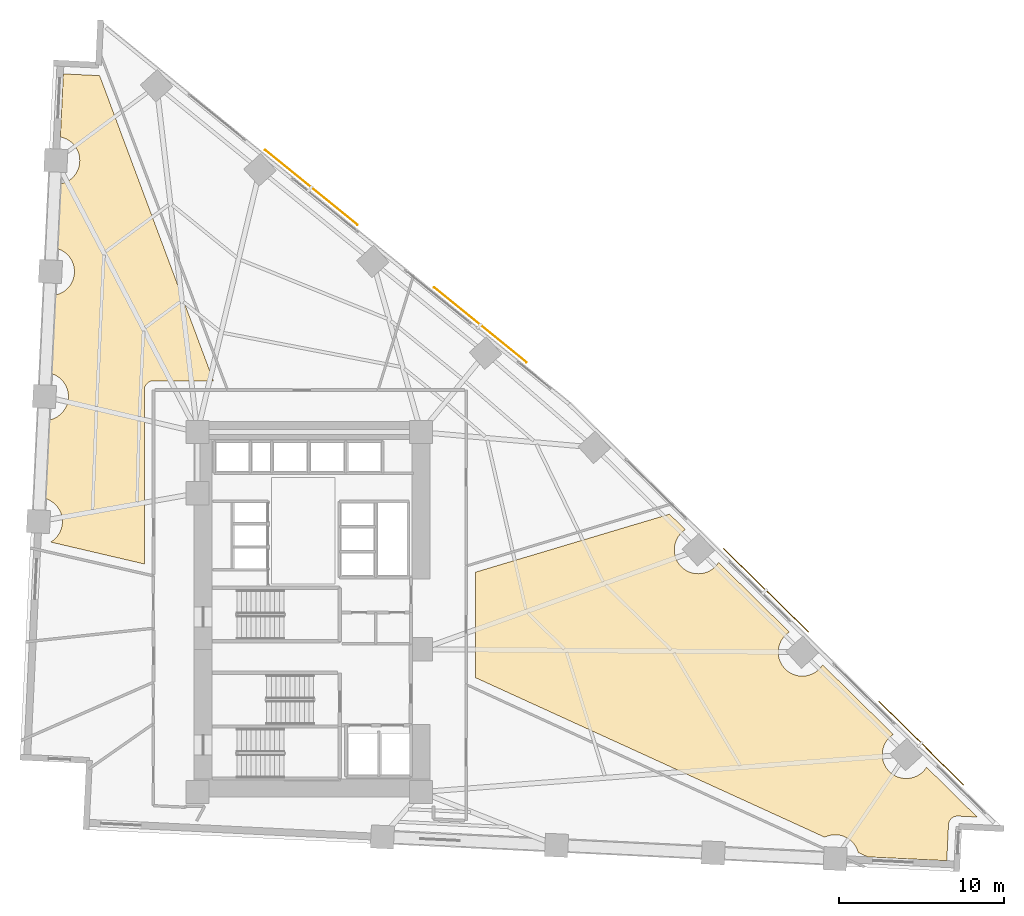
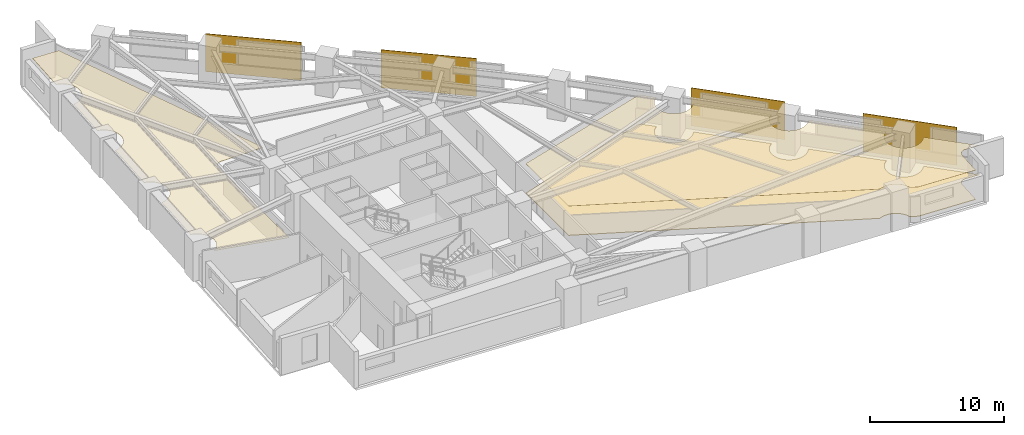
# One storey, part 18 of 18: 4 shading devices, 3 coverings.
"""IFC4 building model written with IfcOpenShell, lengths in metres."""

from ifc_helpers import new_model, si_unit, direction, frame, origin, origin_2d, place, context, subcontext, project, spatial, polyline, rectangle, outline, extrude, material, layer, layer_set, type_object, element, save


model = new_model("IFC4")

# Units and contexts
model_context = context("Model", 3, precision=1e-05, world=origin(), true_north=direction((0.0, 1.0)))
body_context = subcontext(model_context, "Body", "Model", "MODEL_VIEW")
ifc_project = project(units=[si_unit("LENGTHUNIT", "METRE"), si_unit("AREAUNIT", "SQUARE_METRE"), si_unit("VOLUMEUNIT", "CUBIC_METRE"), si_unit("PLANEANGLEUNIT", "RADIAN"), si_unit("MASSUNIT", "GRAM", prefix="KILO")], contexts=[model_context])

# Site, building, storey
site_placement = place(None, origin())
site = spatial("IfcSite", under=ifc_project, at=site_placement, CompositionType="ELEMENT")
building_placement = place(site_placement, origin())
building = spatial("IfcBuilding", under=site, at=building_placement, Name="Narakoshi Arena Tower", CompositionType="ELEMENT")
storey_placement = place(building_placement, frame((0.0, 0.0, 44.699951171875)))
storey = spatial("IfcBuildingStorey", under=building, at=storey_placement, Name="L11", CompositionType="ELEMENT", Elevation=44.699951171875)

# Coverings
ifc_material_1 = material(Name="Acoustic mineral-fibre ceiling tile")
ifc_layer_1 = layer(ifc_material_1, 0.02001953125)
ifc_layer_set_1 = layer_set([ifc_layer_1], Name="Acoustic mineral-fibre ceiling tile")
covering_type_1 = type_object("IfcCoveringType", Name="COV-CLG-AC20", PredefinedType="CEILING", material=ifc_layer_set_1)
covering_1_placement = place(storey_placement, frame((0.0, 0.0, 2.670166015625)))
element("IfcCovering", 1, at=covering_1_placement, inside=storey, type_object=covering_type_1, Name="L11 Suspended Acoustic Ceiling 1", PredefinedType="CEILING", context=body_context, shape_type="SweptSolid", body=[
    extrude(outline(polyline([(118.080810546875, 33.24267578125), (118.02685546875, 33.24267578125), (117.97314453125, 33.2373046875), (117.920166015625, 33.226806640625), (117.868408203125, 33.2109375), (117.818603515625, 33.190185546875), (117.77099609375, 33.164794921875), (117.726318359375, 33.134765625), (117.6845703125, 33.100341796875), (117.646484375, 33.062255859375), (117.6123046875, 33.0205078125), (117.582275390625, 32.9755859375), (117.556884765625, 32.927978515625), (117.536376953125, 32.8779296875), (117.520751953125, 32.826416015625), (117.51025390625, 32.7734375), (117.5048828125, 32.7197265625), (117.400390625, 30.542236328125), (112.614501953125, 30.772216796875), (112.03564453125, 31.03662109375), (112.02392578125, 31.082763671875), (111.97607421875, 31.216796875), (111.915283203125, 31.345458984375), (111.842041015625, 31.467529296875), (111.75732421875, 31.581787109375), (111.66162109375, 31.687255859375), (111.556396484375, 31.78271484375), (111.44189453125, 31.867431640625), (111.31982421875, 31.940673828125), (111.19140625, 32.00146484375), (111.057373046875, 32.049560546875), (110.919189453125, 32.083984375), (110.778564453125, 32.10498046875), (110.636474609375, 32.11181640625), (110.494384765625, 32.10498046875), (110.353515625, 32.083984375), (110.215576171875, 32.049560546875), (110.08154296875, 32.00146484375), (110.003662109375, 31.964599609375), (88.83740234375, 41.6328125), (88.83740234375, 48.01513671875), (100.606689453125, 51.534912109375), (101.56298828125, 50.59326171875), (101.539794921875, 50.579345703125), (101.425537109375, 50.49462890625), (101.320068359375, 50.399169921875), (101.224609375, 50.293701171875), (101.139892578125, 50.179443359375), (101.066650390625, 50.057373046875), (101.005859375, 49.9287109375), (100.957763671875, 49.794677734375), (100.92333984375, 49.65673828125), (100.90234375, 49.515869140625), (100.8955078125, 49.373779296875), (100.90234375, 49.231689453125), (100.92333984375, 49.0908203125), (100.957763671875, 48.952880859375), (101.005859375, 48.81884765625), (101.066650390625, 48.690185546875), (101.139892578125, 48.568115234375), (101.224609375, 48.453857421875), (101.320068359375, 48.348388671875), (101.425537109375, 48.2529296875), (101.539794921875, 48.168212890625), (101.661865234375, 48.094970703125), (101.79052734375, 48.0341796875), (101.924560546875, 47.986083984375), (102.0625, 47.95166015625), (102.203369140625, 47.930908203125), (102.345458984375, 47.923828125), (102.487548828125, 47.930908203125), (102.62841796875, 47.95166015625), (102.766357421875, 47.986083984375), (102.900390625, 48.0341796875), (103.02880859375, 48.094970703125), (103.15087890625, 48.168212890625), (103.265380859375, 48.2529296875), (103.37060546875, 48.348388671875), (103.46630859375, 48.453857421875), (103.551025390625, 48.568115234375), (103.576416015625, 48.610595703125), (107.861328125, 44.391357421875), (107.838134765625, 44.37744140625), (107.723876953125, 44.292724609375), (107.618408203125, 44.197265625), (107.52294921875, 44.091796875), (107.438232421875, 43.9775390625), (107.364990234375, 43.85546875), (107.30419921875, 43.726806640625), (107.256103515625, 43.5927734375), (107.2216796875, 43.454833984375), (107.20068359375, 43.31396484375), (107.19384765625, 43.171875), (107.20068359375, 43.02978515625), (107.2216796875, 42.888916015625), (107.256103515625, 42.7509765625), (107.30419921875, 42.616943359375), (107.364990234375, 42.48828125), (107.438232421875, 42.3662109375), (107.52294921875, 42.251953125), (107.618408203125, 42.146484375), (107.723876953125, 42.051025390625), (107.838134765625, 41.96630859375), (107.960205078125, 41.89306640625), (108.0888671875, 41.832275390625), (108.222900390625, 41.7841796875), (108.36083984375, 41.749755859375), (108.501708984375, 41.72900390625), (108.643798828125, 41.721923828125), (108.785888671875, 41.72900390625), (108.9267578125, 41.749755859375), (109.064697265625, 41.7841796875), (109.19873046875, 41.832275390625), (109.327392578125, 41.89306640625), (109.449462890625, 41.96630859375), (109.563720703125, 42.051025390625), (109.669189453125, 42.146484375), (109.7646484375, 42.251953125), (109.849365234375, 42.3662109375), (109.874755859375, 42.40869140625), (114.159912109375, 38.189453125), (114.13671875, 38.175537109375), (114.022216796875, 38.0908203125), (113.9169921875, 37.9951171875), (113.8212890625, 37.889892578125), (113.736572265625, 37.775390625), (113.663330078125, 37.6533203125), (113.6025390625, 37.52490234375), (113.5546875, 37.390869140625), (113.52001953125, 37.252685546875), (113.499267578125, 37.112060546875), (113.4921875, 36.969970703125), (113.499267578125, 36.827880859375), (113.52001953125, 36.68701171875), (113.5546875, 36.549072265625), (113.6025390625, 36.4150390625), (113.663330078125, 36.286376953125), (113.736572265625, 36.164306640625), (113.8212890625, 36.050048828125), (113.9169921875, 35.944580078125), (114.022216796875, 35.84912109375), (114.13671875, 35.764404296875), (114.2587890625, 35.691162109375), (114.38720703125, 35.63037109375), (114.521240234375, 35.582275390625), (114.6591796875, 35.5478515625), (114.800048828125, 35.52685546875), (114.942138671875, 35.52001953125), (115.084228515625, 35.52685546875), (115.22509765625, 35.5478515625), (115.363037109375, 35.582275390625), (115.4970703125, 35.63037109375), (115.625732421875, 35.691162109375), (115.747802734375, 35.764404296875), (115.862060546875, 35.84912109375), (115.967529296875, 35.944580078125), (116.06298828125, 36.050048828125), (116.147705078125, 36.164306640625), (116.17333984375, 36.206787109375), (119.239990234375, 33.18701171875), (118.080810546875, 33.24267578125)])), origin(), (0.0, 0.0, 1.0), 0.019775390625),
])
ifc_material_2 = material(Name="Slatted oak acoustic timber baffle", Category="wood")
ifc_layer_2 = layer(ifc_material_2, 0.034912109375)
ifc_layer_set_2 = layer_set([ifc_layer_2], Name="Slatted oak acoustic timber baffle")
covering_type_2 = type_object("IfcCoveringType", Name="COV-CLG-WD35", PredefinedType="CEILING", material=ifc_layer_set_2)
covering_2_placement = place(storey_placement, frame((0.0, 0.0, 2.655029296875)))
element("IfcCovering", 2, at=covering_2_placement, inside=storey, type_object=covering_type_2, Name="L11 Suspended Acoustic Ceiling 2", PredefinedType="CEILING", context=body_context, shape_type="SweptSolid", body=[
    extrude(outline(polyline([(66.06298828125, 78.10009765625), (66.081298828125, 78.10009765625), (72.97607421875, 59.610107421875), (69.340087890625, 59.610107421875), (69.2861328125, 59.607421875), (69.232666015625, 59.599365234375), (69.180419921875, 59.586181640625), (69.12939453125, 59.568115234375), (69.080810546875, 59.545166015625), (69.034423828125, 59.517333984375), (68.9912109375, 59.485107421875), (68.951171875, 59.448974609375), (68.914794921875, 59.408935546875), (68.8828125, 59.365478515625), (68.85498046875, 59.3193359375), (68.831787109375, 59.2705078125), (68.813720703125, 59.2197265625), (68.800537109375, 59.167236328125), (68.79248046875, 59.114013671875), (68.7900390625, 59.06005859375), (68.7900390625, 48.515625), (63.11328125, 49.842041015625), (63.18359375, 49.88427734375), (63.2978515625, 49.968994140625), (63.4033203125, 50.064453125), (63.498779296875, 50.169921875), (63.58349609375, 50.2841796875), (63.65673828125, 50.40625), (63.717529296875, 50.534912109375), (63.765625, 50.6689453125), (63.800048828125, 50.806884765625), (63.821044921875, 50.94775390625), (63.827880859375, 51.08984375), (63.821044921875, 51.23193359375), (63.800048828125, 51.372802734375), (63.765625, 51.5107421875), (63.717529296875, 51.644775390625), (63.65673828125, 51.773193359375), (63.58349609375, 51.8955078125), (63.498779296875, 52.009765625), (63.4033203125, 52.114990234375), (63.2978515625, 52.210693359375), (63.18359375, 52.29541015625), (63.0615234375, 52.36865234375), (62.932861328125, 52.429443359375), (62.798828125, 52.477294921875), (62.660888671875, 52.511962890625), (62.651611328125, 52.51318359375), (62.87744140625, 57.2158203125), (62.8837890625, 57.216064453125), (63.0244140625, 57.23681640625), (63.16259765625, 57.271484375), (63.29638671875, 57.3193359375), (63.425048828125, 57.380126953125), (63.547119140625, 57.453369140625), (63.66162109375, 57.5380859375), (63.766845703125, 57.6337890625), (63.862548828125, 57.739013671875), (63.947265625, 57.853515625), (64.0205078125, 57.9755859375), (64.081298828125, 58.10400390625), (64.129150390625, 58.238037109375), (64.163818359375, 58.376220703125), (64.1845703125, 58.516845703125), (64.191650390625, 58.658935546875), (64.1845703125, 58.801025390625), (64.163818359375, 58.94189453125), (64.129150390625, 59.079833984375), (64.081298828125, 59.2138671875), (64.0205078125, 59.342529296875), (63.947265625, 59.464599609375), (63.862548828125, 59.578857421875), (63.766845703125, 59.684326171875), (63.66162109375, 59.77978515625), (63.547119140625, 59.864501953125), (63.425048828125, 59.937744140625), (63.29638671875, 59.99853515625), (63.16259765625, 60.046630859375), (63.0244140625, 60.0810546875), (63.01513671875, 60.08251953125), (63.2412109375, 64.784912109375), (63.247314453125, 64.785400390625), (63.387939453125, 64.80615234375), (63.52587890625, 64.8408203125), (63.659912109375, 64.888671875), (63.78857421875, 64.949462890625), (63.91064453125, 65.022705078125), (64.02490234375, 65.107421875), (64.13037109375, 65.202880859375), (64.22607421875, 65.308349609375), (64.310791015625, 65.422607421875), (64.3837890625, 65.544921875), (64.444580078125, 65.67333984375), (64.49267578125, 65.807373046875), (64.527099609375, 65.9453125), (64.548095703125, 66.086181640625), (64.55517578125, 66.228271484375), (64.548095703125, 66.370361328125), (64.527099609375, 66.51123046875), (64.49267578125, 66.649169921875), (64.444580078125, 66.783203125), (64.3837890625, 66.911865234375), (64.310791015625, 67.033935546875), (64.22607421875, 67.148193359375), (64.13037109375, 67.253662109375), (64.02490234375, 67.34912109375), (63.91064453125, 67.433837890625), (63.78857421875, 67.507080078125), (63.659912109375, 67.56787109375), (63.52587890625, 67.615966796875), (63.387939453125, 67.650390625), (63.37890625, 67.65185546875), (63.564208984375, 71.51318359375), (63.5703125, 71.513671875), (63.711181640625, 71.534423828125), (63.84912109375, 71.569091796875), (63.983154296875, 71.616943359375), (64.11181640625, 71.677734375), (64.23388671875, 71.7509765625), (64.34814453125, 71.835693359375), (64.45361328125, 71.931396484375), (64.54931640625, 72.03662109375), (64.6337890625, 72.15087890625), (64.70703125, 72.273193359375), (64.767822265625, 72.401611328125), (64.81591796875, 72.53564453125), (64.850341796875, 72.673583984375), (64.871337890625, 72.814453125), (64.87841796875, 72.95654296875), (64.871337890625, 73.0986328125), (64.850341796875, 73.239501953125), (64.81591796875, 73.37744140625), (64.767822265625, 73.511474609375), (64.70703125, 73.64013671875), (64.6337890625, 73.76220703125), (64.54931640625, 73.87646484375), (64.45361328125, 73.98193359375), (64.34814453125, 74.077392578125), (64.23388671875, 74.162109375), (64.11181640625, 74.2353515625), (63.983154296875, 74.296142578125), (63.84912109375, 74.34423828125), (63.711181640625, 74.378662109375), (63.701904296875, 74.380126953125), (63.8857421875, 78.20458984375), (66.06298828125, 78.10009765625)])), origin(), (0.0, 0.0, 1.0), 0.034912109375),
])
ifc_material_3 = material(Name="Raised steel access floor panel", Category="steel")
ifc_layer_3 = layer(ifc_material_3, 0.044921875)
ifc_layer_set_3 = layer_set([ifc_layer_3], Name="Raised steel access floor panel")
covering_type_3 = type_object("IfcCoveringType", Name="COV-FLR-RF45", PredefinedType="FLOORING", material=ifc_layer_set_3)
covering_3_placement = place(storey_placement, origin())
element("IfcCovering", 3, at=covering_3_placement, inside=storey, type_object=covering_type_3, Name="L11 Raised Steel Access Floor", PredefinedType="FLOORING", context=body_context, shape_type="SweptSolid", body=[
    extrude(outline(polyline([(118.080810546875, 33.24267578125), (118.02685546875, 33.24267578125), (117.97314453125, 33.2373046875), (117.920166015625, 33.226806640625), (117.868408203125, 33.2109375), (117.818603515625, 33.190185546875), (117.77099609375, 33.164794921875), (117.726318359375, 33.134765625), (117.6845703125, 33.100341796875), (117.646484375, 33.062255859375), (117.6123046875, 33.0205078125), (117.582275390625, 32.9755859375), (117.556884765625, 32.927978515625), (117.536376953125, 32.8779296875), (117.520751953125, 32.826416015625), (117.51025390625, 32.7734375), (117.5048828125, 32.7197265625), (117.400390625, 30.542236328125), (112.614501953125, 30.772216796875), (112.03564453125, 31.03662109375), (112.02392578125, 31.082763671875), (111.97607421875, 31.216796875), (111.915283203125, 31.345458984375), (111.842041015625, 31.467529296875), (111.75732421875, 31.581787109375), (111.66162109375, 31.687255859375), (111.556396484375, 31.78271484375), (111.44189453125, 31.867431640625), (111.31982421875, 31.940673828125), (111.19140625, 32.00146484375), (111.057373046875, 32.049560546875), (110.919189453125, 32.083984375), (110.778564453125, 32.10498046875), (110.636474609375, 32.11181640625), (110.494384765625, 32.10498046875), (110.353515625, 32.083984375), (110.215576171875, 32.049560546875), (110.08154296875, 32.00146484375), (110.003662109375, 31.964599609375), (88.83740234375, 41.6328125), (88.83740234375, 48.01513671875), (100.606689453125, 51.534912109375), (101.56298828125, 50.59326171875), (101.539794921875, 50.579345703125), (101.425537109375, 50.49462890625), (101.320068359375, 50.399169921875), (101.224609375, 50.293701171875), (101.139892578125, 50.179443359375), (101.066650390625, 50.057373046875), (101.005859375, 49.9287109375), (100.957763671875, 49.794677734375), (100.92333984375, 49.65673828125), (100.90234375, 49.515869140625), (100.8955078125, 49.373779296875), (100.90234375, 49.231689453125), (100.92333984375, 49.0908203125), (100.957763671875, 48.952880859375), (101.005859375, 48.81884765625), (101.066650390625, 48.690185546875), (101.139892578125, 48.568115234375), (101.224609375, 48.453857421875), (101.320068359375, 48.348388671875), (101.425537109375, 48.2529296875), (101.539794921875, 48.168212890625), (101.661865234375, 48.094970703125), (101.79052734375, 48.0341796875), (101.924560546875, 47.986083984375), (102.0625, 47.95166015625), (102.203369140625, 47.930908203125), (102.345458984375, 47.923828125), (102.487548828125, 47.930908203125), (102.62841796875, 47.95166015625), (102.766357421875, 47.986083984375), (102.900390625, 48.0341796875), (103.02880859375, 48.094970703125), (103.15087890625, 48.168212890625), (103.265380859375, 48.2529296875), (103.37060546875, 48.348388671875), (103.46630859375, 48.453857421875), (103.551025390625, 48.568115234375), (103.576416015625, 48.610595703125), (107.861328125, 44.391357421875), (107.838134765625, 44.37744140625), (107.723876953125, 44.292724609375), (107.618408203125, 44.197265625), (107.52294921875, 44.091796875), (107.438232421875, 43.9775390625), (107.364990234375, 43.85546875), (107.30419921875, 43.726806640625), (107.256103515625, 43.5927734375), (107.2216796875, 43.454833984375), (107.20068359375, 43.31396484375), (107.19384765625, 43.171875), (107.20068359375, 43.02978515625), (107.2216796875, 42.888916015625), (107.256103515625, 42.7509765625), (107.30419921875, 42.616943359375), (107.364990234375, 42.48828125), (107.438232421875, 42.3662109375), (107.52294921875, 42.251953125), (107.618408203125, 42.146484375), (107.723876953125, 42.051025390625), (107.838134765625, 41.96630859375), (107.960205078125, 41.89306640625), (108.0888671875, 41.832275390625), (108.222900390625, 41.7841796875), (108.36083984375, 41.749755859375), (108.501708984375, 41.72900390625), (108.643798828125, 41.721923828125), (108.785888671875, 41.72900390625), (108.9267578125, 41.749755859375), (109.064697265625, 41.7841796875), (109.19873046875, 41.832275390625), (109.327392578125, 41.89306640625), (109.449462890625, 41.96630859375), (109.563720703125, 42.051025390625), (109.669189453125, 42.146484375), (109.7646484375, 42.251953125), (109.849365234375, 42.3662109375), (109.874755859375, 42.40869140625), (114.159912109375, 38.189453125), (114.13671875, 38.175537109375), (114.022216796875, 38.0908203125), (113.9169921875, 37.9951171875), (113.8212890625, 37.889892578125), (113.736572265625, 37.775390625), (113.663330078125, 37.6533203125), (113.6025390625, 37.52490234375), (113.5546875, 37.390869140625), (113.52001953125, 37.252685546875), (113.499267578125, 37.112060546875), (113.4921875, 36.969970703125), (113.499267578125, 36.827880859375), (113.52001953125, 36.68701171875), (113.5546875, 36.549072265625), (113.6025390625, 36.4150390625), (113.663330078125, 36.286376953125), (113.736572265625, 36.164306640625), (113.8212890625, 36.050048828125), (113.9169921875, 35.944580078125), (114.022216796875, 35.84912109375), (114.13671875, 35.764404296875), (114.2587890625, 35.691162109375), (114.38720703125, 35.63037109375), (114.521240234375, 35.582275390625), (114.6591796875, 35.5478515625), (114.800048828125, 35.52685546875), (114.942138671875, 35.52001953125), (115.084228515625, 35.52685546875), (115.22509765625, 35.5478515625), (115.363037109375, 35.582275390625), (115.4970703125, 35.63037109375), (115.625732421875, 35.691162109375), (115.747802734375, 35.764404296875), (115.862060546875, 35.84912109375), (115.967529296875, 35.944580078125), (116.06298828125, 36.050048828125), (116.147705078125, 36.164306640625), (116.17333984375, 36.206787109375), (119.239990234375, 33.18701171875), (118.080810546875, 33.24267578125)])), origin(), (0.0, 0.0, 1.0), 0.045166015625),
])

# Shading devices
ifc_material_4 = material(Name="Perforated bronze ceramic-metal composite")
ifc_layer_4 = layer(ifc_material_4, 0.044921875)
ifc_layer_set_4 = layer_set([ifc_layer_4], Name="Perforated bronze ceramic-metal composite")
shading_device_type = type_object("IfcShadingDeviceType", Name="SHD-SCR-BRZ1", PredefinedType="USERDEFINED", material=ifc_layer_set_4)
for number, where, z_axis, x_axis, name in (
    (4, (115.85498046875, 37.660400390625, 0.0), (0.0, 0.0, 1.0), (-0.712540559713, 0.70163092204, 0.0), "L11 Perforated Bronze Solar Screen 1-1"),
    (5, (106.44970703125, 46.921875, 0.0), (0.0, 0.0, 1.0), (-0.712540559713, 0.70163092204, 0.0), "L11 Perforated Bronze Solar Screen 1-2"),
    (6, (89.14208984375, 63.002685546875, 0.0), (0.0, 0.0, 1.0), (-0.776002375698, 0.630729984154, 0.0), "L11 Perforated Bronze Solar Screen 2-1"),
    (7, (78.898681640625, 71.328369140625, 0.0), (0.0, 0.0, 1.0), (-0.776002375698, 0.630729984154, 0.0), "L11 Perforated Bronze Solar Screen 2-2"),
):
    element("IfcShadingDevice", number, at=place(storey_placement, frame(where, z_axis=z_axis, x_axis=x_axis)), inside=storey, type_object=shading_device_type, Name=name, ObjectType="SOLAR SCREEN", PredefinedType="USERDEFINED", context=body_context, shape_type="SweptSolid", body=[
        extrude(rectangle(XDim=7.199951171875, YDim=0.044921875, at=origin_2d()), origin(), (0.0, 0.0, 1.0), 3.449951171875),
    ])

save(model, "model.ifc")
